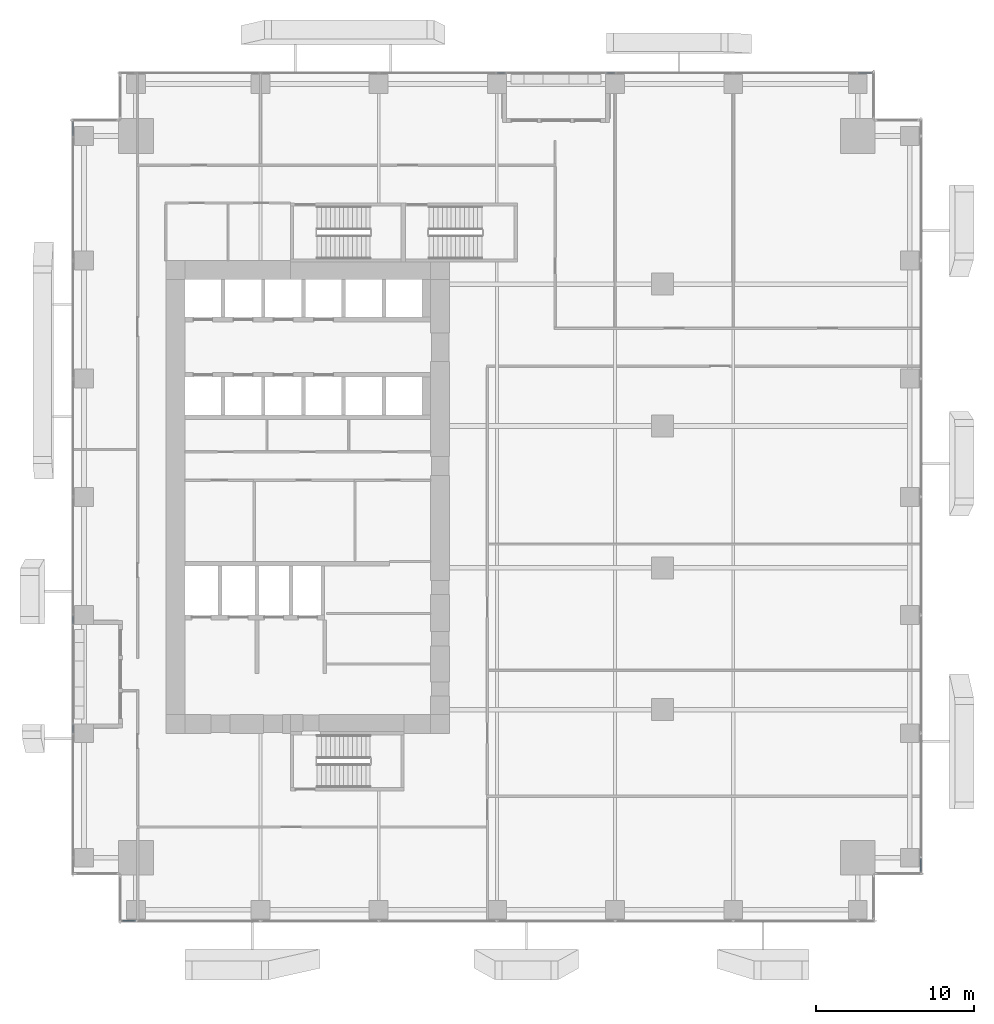
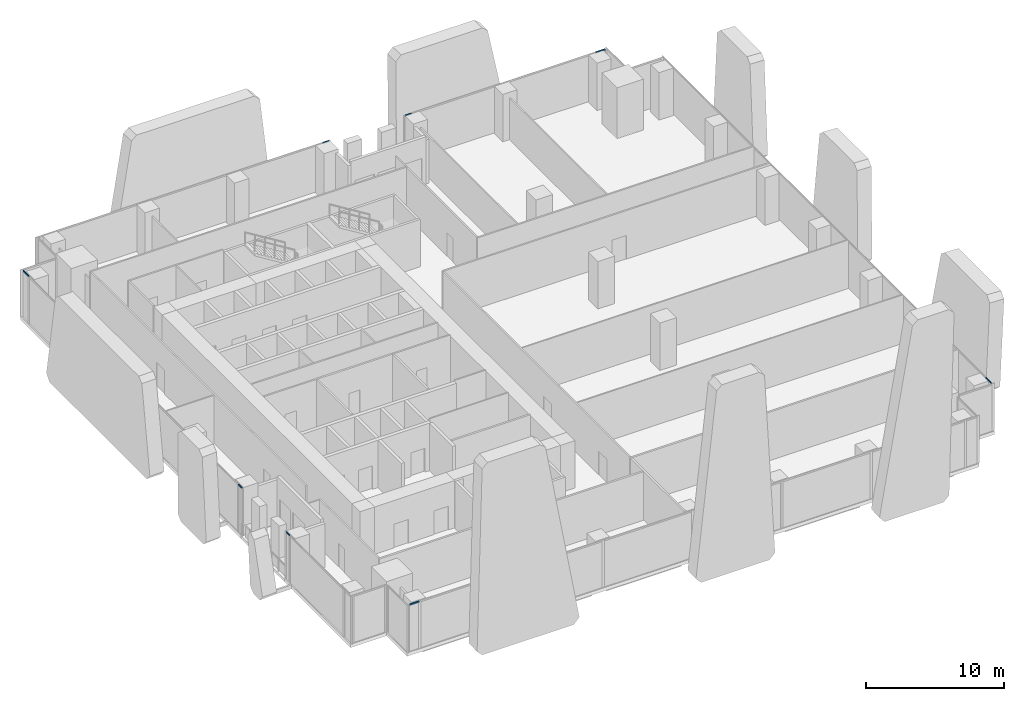
# One storey, part 21 of 34: 8 members, 6 elements without a shape of their own.
"""IFC4 building model written with IfcOpenShell, lengths in metres."""

from ifc_helpers import new_model, si_unit, direction, frame, origin, origin_2d, place, context, subcontext, project, spatial, hollow_rectangle, extrude, source, transform, mapped, material, material_profile, profile_set, type_object, element, aggregate, save


model = new_model("IFC4")

# Units and contexts
model_context = context("Model", 3, precision=1e-05, world=origin(), true_north=direction((0.0, 1.0)))
body_context = subcontext(model_context, "Body", "Model", "MODEL_VIEW")
ifc_project = project(units=[si_unit("LENGTHUNIT", "METRE"), si_unit("AREAUNIT", "SQUARE_METRE"), si_unit("VOLUMEUNIT", "CUBIC_METRE"), si_unit("PLANEANGLEUNIT", "RADIAN"), si_unit("MASSUNIT", "GRAM", prefix="KILO")], contexts=[model_context])

# Site, building, storey
site_placement = place(None, origin())
site = spatial("IfcSite", under=ifc_project, at=site_placement, CompositionType="ELEMENT")
building_placement = place(site_placement, origin())
building = spatial("IfcBuilding", under=site, at=building_placement, Name="Khomas Fold Tower", CompositionType="ELEMENT")
storey_placement = place(building_placement, frame((0.0, 0.0, 51.0)))
storey = spatial("IfcBuildingStorey", under=building, at=storey_placement, Name="L10", CompositionType="ELEMENT", Elevation=51.0)

# Curtain wall, member
ifc_material_1 = material(Name="Aluminium framed double glazing", Category="aluminium")
curtain_wall_type = type_object("IfcCurtainWallType", Name="SK-Unitised clear-glass wall, growing floors CW1", PredefinedType="NOTDEFINED", material=ifc_material_1)
curtain_wall_1_placement = place(storey_placement, origin())
curtain_wall_1 = element("IfcCurtainWall", 1, at=curtain_wall_1_placement, inside=storey, type_object=curtain_wall_type, Name="CW1 run L10 00-0", PredefinedType="NOTDEFINED")
ifc_material_2 = material(Name="Aluminium", Category="aluminium")
ifc_material_profile = material_profile(ifc_material_2, hollow_rectangle(XDim=0.06005859375, YDim=0.1201171875, WallThickness=0.00390625, at=origin_2d()), Name="SK-Unitised clear-glass wall, growing floors transom CW1-T")
ifc_profile_set = profile_set([ifc_material_profile], Name="Aluminium")
member_type = type_object("IfcMemberType", Name="SK-Unitised clear-glass wall, growing floors transom CW1-T", PredefinedType="USERDEFINED", material=ifc_profile_set)
shared_shape_1 = source(origin(), body_context, "Body", "SweptSolid", [
    extrude(hollow_rectangle(XDim=0.06005859375, YDim=0.1201171875, WallThickness=0.00390625, at=origin_2d()), origin(), (0.0, 0.0, 1.0), 0.81005859375),
])
member_1_placement = place(storey_placement, frame((3.260009765625, 0.10009765625, 4.139892578125), z_axis=(1.0, 0.0, 0.0), x_axis=(0.0, 1.0, 0.0)))
member_1 = element("IfcMember", 2, at=member_1_placement, type_object=member_type, Name="CW1 transom 1", ObjectType="TRANSOM", PredefinedType="USERDEFINED", context=body_context, shape_type="MappedRepresentation", body=[
    mapped(shared_shape_1, transform((0.0, 0.0, 0.0))),
])
aggregate(curtain_wall_1, [member_1])

curtain_wall_2_placement = place(storey_placement, origin())
curtain_wall_2 = element("IfcCurtainWall", 3, at=curtain_wall_2_placement, inside=storey, type_object=curtain_wall_type, Name="CW1 run L10 03-0", PredefinedType="NOTDEFINED")
member_2_placement = place(storey_placement, frame((53.89990234375, 3.260009765625, 4.139892578125), z_axis=(0.0, 1.0, 0.0), x_axis=(-1.0, 0.0, 0.0)))
member_2 = element("IfcMember", 4, at=member_2_placement, type_object=member_type, Name="CW1 transom 1", ObjectType="TRANSOM", PredefinedType="USERDEFINED", context=body_context, shape_type="MappedRepresentation", body=[
    mapped(shared_shape_1, transform((0.0, 0.0, 0.0))),
])
aggregate(curtain_wall_2, [member_2])

curtain_wall_3_placement = place(storey_placement, origin())
curtain_wall_3 = element("IfcCurtainWall", 5, at=curtain_wall_3_placement, inside=storey, type_object=curtain_wall_type, Name="CW1 run L10 06-0", PredefinedType="NOTDEFINED")
member_3_placement = place(storey_placement, frame((50.739990234375, 53.89990234375, 4.139892578125), z_axis=(-1.0, 0.0, 0.0), x_axis=(0.0, -1.0, 0.0)))
member_3 = element("IfcMember", 6, at=member_3_placement, type_object=member_type, Name="CW1 transom 1", ObjectType="TRANSOM", PredefinedType="USERDEFINED", context=body_context, shape_type="MappedRepresentation", body=[
    mapped(shared_shape_1, transform((0.0, 0.0, 0.0))),
])

curtain_wall_4_placement = place(storey_placement, origin())
curtain_wall_4 = element("IfcCurtainWall", 7, at=curtain_wall_4_placement, inside=storey, type_object=curtain_wall_type, Name="CW1 run L10 09-0", PredefinedType="NOTDEFINED")
member_4_placement = place(storey_placement, frame((0.10009765625, 50.739990234375, 4.139892578125), z_axis=(0.0, -1.0, 0.0), x_axis=(1.0, 0.0, 0.0)))
member_4 = element("IfcMember", 8, at=member_4_placement, type_object=member_type, Name="CW1 transom 1", ObjectType="TRANSOM", PredefinedType="USERDEFINED", context=body_context, shape_type="MappedRepresentation", body=[
    mapped(shared_shape_1, transform((0.0, 0.0, 0.0))),
])

# Member
shared_shape_2 = source(origin(), body_context, "Body", "SweptSolid", [
    extrude(hollow_rectangle(XDim=0.06005859375, YDim=0.1201171875, WallThickness=0.00390625, at=origin_2d()), origin(), (0.0, 0.0, 1.0), 0.510009765625),
])
member_5_placement = place(storey_placement, frame((34.469970703125, 53.89990234375, 4.139892578125), z_axis=(-1.0, 0.0, 0.0), x_axis=(0.0, -1.0, 0.0)))
member_5 = element("IfcMember", 9, at=member_5_placement, type_object=member_type, Name="CW1 transom 4", ObjectType="TRANSOM", PredefinedType="USERDEFINED", context=body_context, shape_type="MappedRepresentation", body=[
    mapped(shared_shape_2, transform((0.0, 0.0, 0.0))),
])

aggregate(curtain_wall_3, [member_3, member_5])

# Curtain wall, member
curtain_wall_5_placement = place(storey_placement, origin())
curtain_wall_5 = element("IfcCurtainWall", 10, at=curtain_wall_5_placement, inside=storey, type_object=curtain_wall_type, Name="CW1 run L10 06-1", PredefinedType="NOTDEFINED")
member_6_placement = place(storey_placement, frame((27.5400390625, 53.89990234375, 4.139892578125), z_axis=(-1.0, 0.0, 0.0), x_axis=(0.0, -1.0, 0.0)))
member_6 = element("IfcMember", 11, at=member_6_placement, type_object=member_type, Name="CW1 transom 1", ObjectType="TRANSOM", PredefinedType="USERDEFINED", context=body_context, shape_type="MappedRepresentation", body=[
    mapped(shared_shape_2, transform((0.0, 0.0, 0.0))),
])
aggregate(curtain_wall_5, [member_6])

# Member
member_7_placement = place(storey_placement, frame((0.10009765625, 19.469970703125, 4.139892578125), z_axis=(0.0, -1.0, 0.0), x_axis=(1.0, 0.0, 0.0)))
member_7 = element("IfcMember", 12, at=member_7_placement, type_object=member_type, Name="CW1 transom 6", ObjectType="TRANSOM", PredefinedType="USERDEFINED", context=body_context, shape_type="MappedRepresentation", body=[
    mapped(shared_shape_2, transform((0.0, 0.0, 0.0))),
])

aggregate(curtain_wall_4, [member_4, member_7])

# Curtain wall, member
curtain_wall_6_placement = place(storey_placement, origin())
curtain_wall_6 = element("IfcCurtainWall", 13, at=curtain_wall_6_placement, inside=storey, type_object=curtain_wall_type, Name="CW1 run L10 09-1", PredefinedType="NOTDEFINED")
member_8_placement = place(storey_placement, frame((0.10009765625, 12.5400390625, 4.139892578125), z_axis=(0.0, -1.0, 0.0), x_axis=(1.0, 0.0, 0.0)))
member_8 = element("IfcMember", 14, at=member_8_placement, type_object=member_type, Name="CW1 transom 1", ObjectType="TRANSOM", PredefinedType="USERDEFINED", context=body_context, shape_type="MappedRepresentation", body=[
    mapped(shared_shape_2, transform((0.0, 0.0, 0.0))),
])
aggregate(curtain_wall_6, [member_8])

save(model, "model.ifc")
